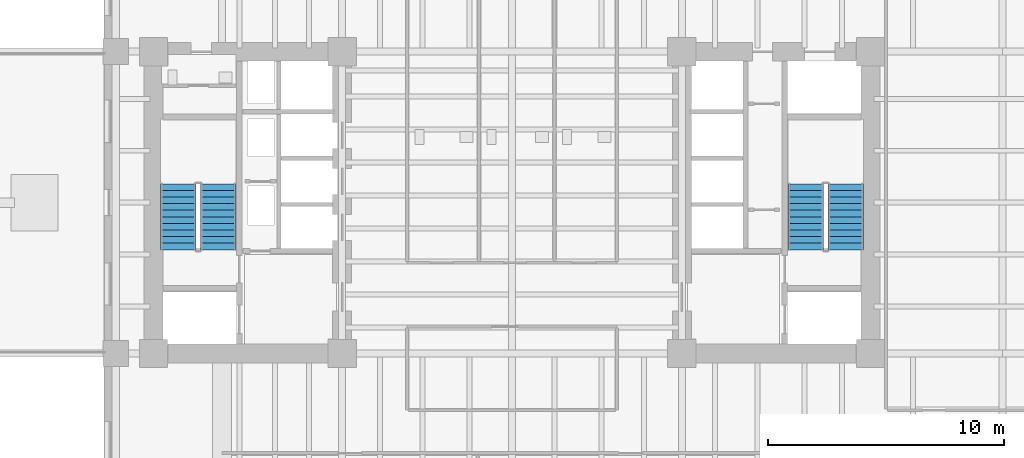
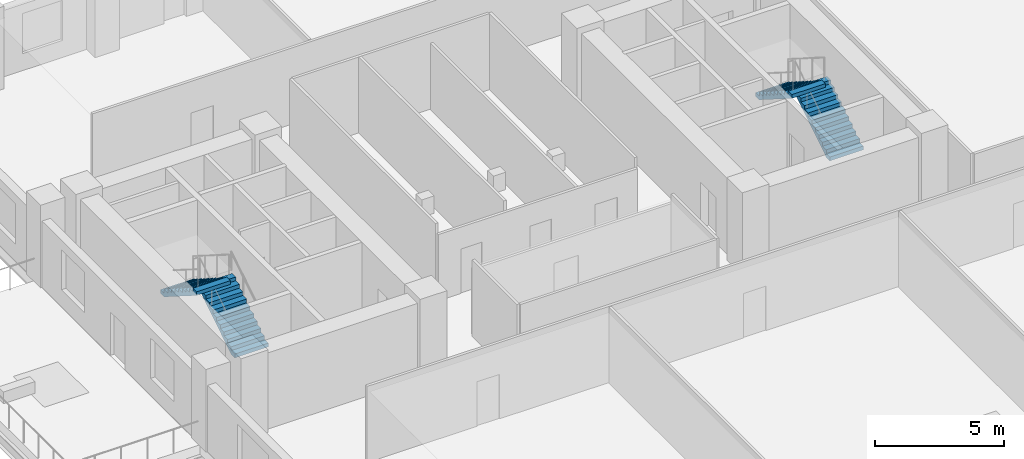
# One storey, part 6 of 11: 4 stair flights, 2 elements without a shape of their own.
"""IFC4 building model written with IfcOpenShell, lengths in metres."""

from ifc_helpers import new_model, si_unit, direction, frame, origin, place, context, subcontext, project, spatial, polyline, outline, extrude, material, type_object, element, aggregate, save


model = new_model("IFC4")

# Units and contexts
model_context = context("Model", 3, precision=1e-05, world=origin(), true_north=direction((0.0, 1.0)))
body_context = subcontext(model_context, "Body", "Model", "MODEL_VIEW")
ifc_project = project(units=[si_unit("LENGTHUNIT", "METRE"), si_unit("AREAUNIT", "SQUARE_METRE"), si_unit("VOLUMEUNIT", "CUBIC_METRE"), si_unit("PLANEANGLEUNIT", "RADIAN"), si_unit("MASSUNIT", "GRAM", prefix="KILO")], contexts=[model_context])

# Site, building, storey
site_placement = place(None, origin())
site = spatial("IfcSite", under=ifc_project, at=site_placement, CompositionType="ELEMENT")
building_placement = place(site_placement, origin())
building = spatial("IfcBuilding", under=site, at=building_placement, Name="Kranthara Brick Stack", CompositionType="ELEMENT")
storey_placement = place(building_placement, frame((0.0, 0.0, 47.699951171875)))
storey = spatial("IfcBuildingStorey", under=building, at=storey_placement, Name="L11", CompositionType="ELEMENT", Elevation=47.699951171875)

# Stair, stair flights
ifc_material_1 = material(Name="Concrete C45/55", Category="concrete")
stair_type = type_object("IfcStairType", Name="ST-CORE-22R", PredefinedType="HALF_TURN_STAIR", material=ifc_material_1)
stair_1_placement = place(storey_placement, origin())
stair_1 = element("IfcStair", 1, at=stair_1_placement, inside=storey, type_object=stair_type, Name="L11 West Core Protected Exit Stair ST01", PredefinedType="HALF_TURN_STAIR")
ifc_material_2 = material(Name="Concrete C45/55", Category="concrete")
stair_flight_type = type_object("IfcStairFlightType", Name="SFL-RC-22R", PredefinedType="STRAIGHT", material=ifc_material_2)
stair_flight_1_placement = place(storey_placement, frame((15.550048828125, 25.199951171875, 0.0), z_axis=(0.0, 0.0, 1.0), x_axis=(0.0, 1.0, 0.0)))
stair_flight_1 = element("IfcStairFlight", 2, at=stair_flight_1_placement, type_object=stair_flight_type, Name="ST01 flight 1", NumberOfRisers=11, NumberOfTreads=10, PredefinedType="STRAIGHT", RiserHeight=0.177272727, TreadLength=0.28, context=body_context, shape_type="SweptSolid", body=[
    extrude(outline(polyline([(0.0, 0.0), (0.0, 0.17724609375), (0.280029296875, 0.17724609375), (0.280029296875, 0.3544921875), (0.56005859375, 0.3544921875), (0.56005859375, 0.53173828125), (0.840087890625, 0.53173828125), (0.840087890625, 0.708984375), (1.1201171875, 0.708984375), (1.1201171875, 0.886474609375), (1.39990234375, 0.886474609375), (1.39990234375, 1.063720703125), (1.679931640625, 1.063720703125), (1.679931640625, 1.240966796875), (1.9599609375, 1.240966796875), (1.9599609375, 1.418212890625), (2.239990234375, 1.418212890625), (2.239990234375, 1.595458984375), (2.52001953125, 1.595458984375), (2.52001953125, 1.772705078125), (2.800048828125, 1.772705078125), (2.800048828125, 1.949951171875), (2.800048828125, 1.59521484375), (0.2802734375, 0.0), (0.0, 0.0)])), frame((0.0, 0.75, 0.0), z_axis=(0.0, -1.0, 0.0), x_axis=(1.0, 0.0, 0.0)), (0.0, 0.0, 1.0), 1.5),
])
stair_flight_2_placement = place(storey_placement, frame((13.85009765625, 28.0, 1.949951171875), z_axis=(0.0, 0.0, 1.0), x_axis=(0.0, -1.0, 0.0)))
stair_flight_2 = element("IfcStairFlight", 3, at=stair_flight_2_placement, type_object=stair_flight_type, Name="ST01 flight 2", NumberOfRisers=11, NumberOfTreads=10, PredefinedType="STRAIGHT", RiserHeight=0.177272727, TreadLength=0.28, context=body_context, shape_type="SweptSolid", body=[
    extrude(outline(polyline([(0.0, 0.0), (0.0, 0.17724609375), (0.280029296875, 0.17724609375), (0.280029296875, 0.3544921875), (0.56005859375, 0.3544921875), (0.56005859375, 0.53173828125), (0.840087890625, 0.53173828125), (0.840087890625, 0.708984375), (1.1201171875, 0.708984375), (1.1201171875, 0.886474609375), (1.39990234375, 0.886474609375), (1.39990234375, 1.063720703125), (1.679931640625, 1.063720703125), (1.679931640625, 1.240966796875), (1.9599609375, 1.240966796875), (1.9599609375, 1.418212890625), (2.239990234375, 1.418212890625), (2.239990234375, 1.595458984375), (2.52001953125, 1.595458984375), (2.52001953125, 1.772705078125), (2.800048828125, 1.772705078125), (2.800048828125, 1.949951171875), (2.800048828125, 1.59521484375), (0.2802734375, 0.0), (0.0, 0.0)])), frame((0.0, 0.75, 0.0), z_axis=(0.0, -1.0, 0.0), x_axis=(1.0, 0.0, 0.0)), (0.0, 0.0, 1.0), 1.5),
])
aggregate(stair_1, [stair_flight_1, stair_flight_2])

stair_2_placement = place(storey_placement, origin())
stair_2 = element("IfcStair", 4, at=stair_2_placement, inside=storey, type_object=stair_type, Name="L11 East Core Protected Exit Stair ST02", PredefinedType="HALF_TURN_STAIR")
stair_flight_3_placement = place(storey_placement, frame((42.14990234375, 25.199951171875, 0.0), z_axis=(0.0, 0.0, 1.0), x_axis=(0.0, 1.0, 0.0)))
stair_flight_3 = element("IfcStairFlight", 5, at=stair_flight_3_placement, type_object=stair_flight_type, Name="ST02 flight 1", NumberOfRisers=11, NumberOfTreads=10, PredefinedType="STRAIGHT", RiserHeight=0.177272727, TreadLength=0.28, context=body_context, shape_type="SweptSolid", body=[
    extrude(outline(polyline([(0.0, 0.0), (0.0, 0.17724609375), (0.280029296875, 0.17724609375), (0.280029296875, 0.3544921875), (0.56005859375, 0.3544921875), (0.56005859375, 0.53173828125), (0.840087890625, 0.53173828125), (0.840087890625, 0.708984375), (1.1201171875, 0.708984375), (1.1201171875, 0.886474609375), (1.39990234375, 0.886474609375), (1.39990234375, 1.063720703125), (1.679931640625, 1.063720703125), (1.679931640625, 1.240966796875), (1.9599609375, 1.240966796875), (1.9599609375, 1.418212890625), (2.239990234375, 1.418212890625), (2.239990234375, 1.595458984375), (2.52001953125, 1.595458984375), (2.52001953125, 1.772705078125), (2.800048828125, 1.772705078125), (2.800048828125, 1.949951171875), (2.800048828125, 1.59521484375), (0.2802734375, 0.0), (0.0, 0.0)])), frame((0.0, 0.75, 0.0), z_axis=(0.0, -1.0, 0.0), x_axis=(1.0, 0.0, 0.0)), (0.0, 0.0, 1.0), 1.5),
])
stair_flight_4_placement = place(storey_placement, frame((40.449951171875, 28.0, 1.949951171875), z_axis=(0.0, 0.0, 1.0), x_axis=(0.0, -1.0, 0.0)))
stair_flight_4 = element("IfcStairFlight", 6, at=stair_flight_4_placement, type_object=stair_flight_type, Name="ST02 flight 2", NumberOfRisers=11, NumberOfTreads=10, PredefinedType="STRAIGHT", RiserHeight=0.177272727, TreadLength=0.28, context=body_context, shape_type="SweptSolid", body=[
    extrude(outline(polyline([(0.0, 0.0), (0.0, 0.17724609375), (0.280029296875, 0.17724609375), (0.280029296875, 0.3544921875), (0.56005859375, 0.3544921875), (0.56005859375, 0.53173828125), (0.840087890625, 0.53173828125), (0.840087890625, 0.708984375), (1.1201171875, 0.708984375), (1.1201171875, 0.886474609375), (1.39990234375, 0.886474609375), (1.39990234375, 1.063720703125), (1.679931640625, 1.063720703125), (1.679931640625, 1.240966796875), (1.9599609375, 1.240966796875), (1.9599609375, 1.418212890625), (2.239990234375, 1.418212890625), (2.239990234375, 1.595458984375), (2.52001953125, 1.595458984375), (2.52001953125, 1.772705078125), (2.800048828125, 1.772705078125), (2.800048828125, 1.949951171875), (2.800048828125, 1.59521484375), (0.2802734375, 0.0), (0.0, 0.0)])), frame((0.0, 0.75, 0.0), z_axis=(0.0, -1.0, 0.0), x_axis=(1.0, 0.0, 0.0)), (0.0, 0.0, 1.0), 1.5),
])
aggregate(stair_2, [stair_flight_3, stair_flight_4])

save(model, "model.ifc")
